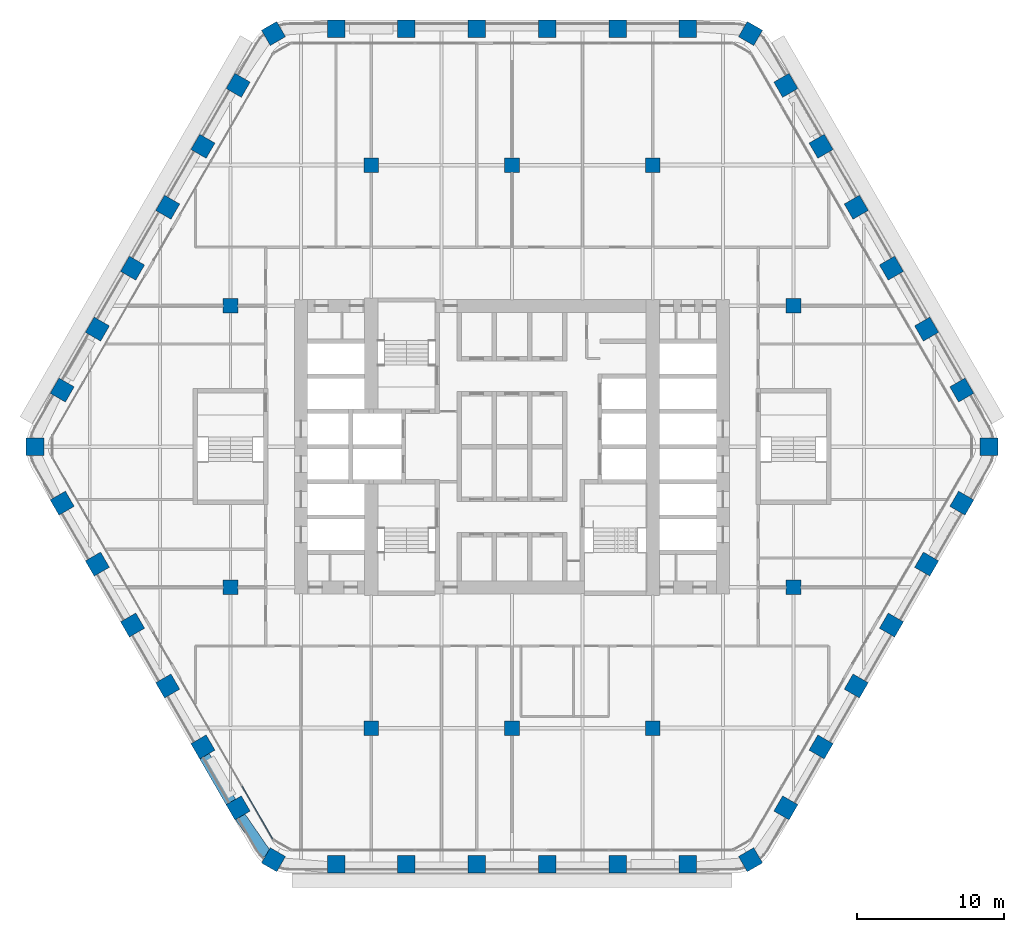
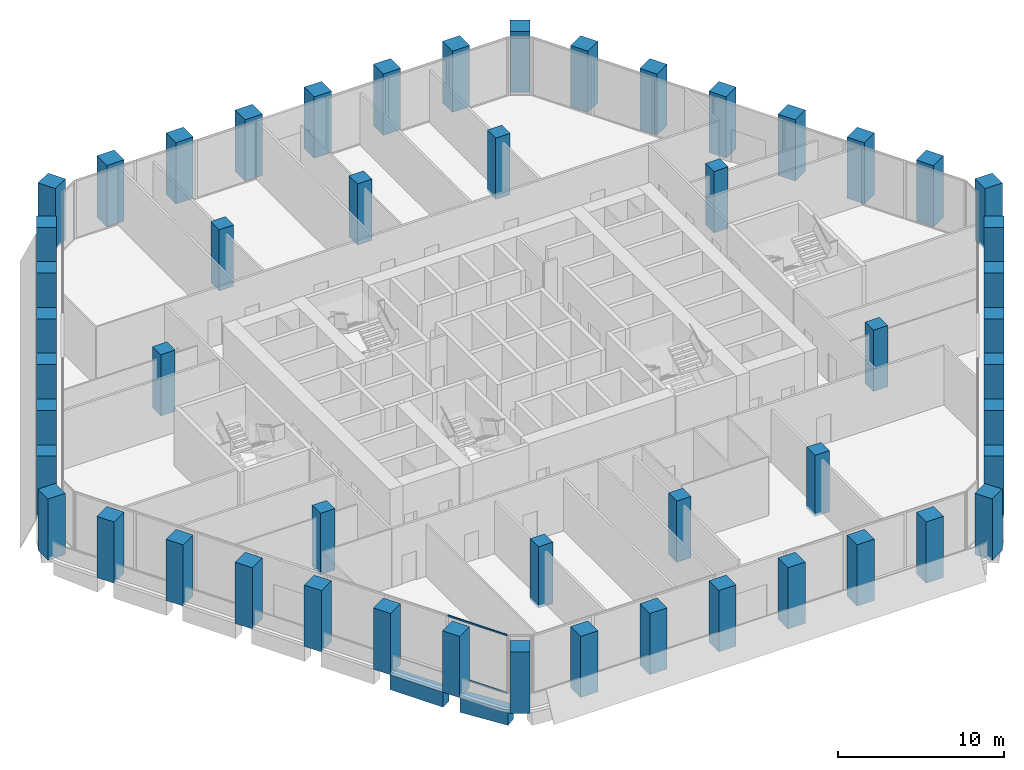
# One storey, part 1 of 23: 52 columns, 2 beams, 2 members, 1 element without a shape of its own.
"""IFC4 building model written with IfcOpenShell, lengths in metres."""

from ifc_helpers import new_model, si_unit, direction, frame, origin, origin_2d, place, context, subcontext, project, spatial, rectangle, extrude, material, material_profile, profile_set, type_object, element, aggregate, save


model = new_model("IFC4")

# Units and contexts
model_context = context("Model", 3, precision=1e-05, world=origin(), true_north=direction((0.0, 1.0)))
body_context = subcontext(model_context, "Body", "Model", "MODEL_VIEW")
ifc_project = project(units=[si_unit("LENGTHUNIT", "METRE"), si_unit("AREAUNIT", "SQUARE_METRE"), si_unit("VOLUMEUNIT", "CUBIC_METRE"), si_unit("PLANEANGLEUNIT", "RADIAN"), si_unit("MASSUNIT", "GRAM", prefix="KILO")], contexts=[model_context])

# Site, building, storey
site_placement = place(None, origin())
site = spatial("IfcSite", under=ifc_project, at=site_placement, CompositionType="ELEMENT")
building_placement = place(site_placement, origin())
building = spatial("IfcBuilding", under=site, at=building_placement, Name="Kolab Exchange Tower", CompositionType="ELEMENT")
storey_placement = place(building_placement, frame((0.0, 0.0, 95.89990234375)))
storey = spatial("IfcBuildingStorey", under=building, at=storey_placement, Name="L18", CompositionType="ELEMENT", Elevation=95.89990234375)

# Columns
ifc_material_1 = material(Name="Concrete C70/85", Category="concrete")
ifc_material_profile_1 = material_profile(ifc_material_1, rectangle(XDim=1.0, YDim=1.0, at=origin_2d()), Name="RC1000")
ifc_profile_set_1 = profile_set([ifc_material_profile_1], Name="Concrete C70/85")
column_type_1 = type_object("IfcColumnType", Name="INTERIOR COLUMN 1000 SQ C70/85", PredefinedType="COLUMN", material=ifc_profile_set_1)
for number, where, z_axis, x_axis, name in (
    (1, (-19.199951171875, -9.60009765625, -0.199951171875), (0.0, 0.0, 1.0), (1.0, 0.0, 0.0), "col/L18/I-I9"),
    (2, (-19.199951171875, 9.60009765625, -0.199951171875), (0.0, 0.0, 1.0), (1.0, 0.0, 0.0), "col/L18/I-I13"),
    (3, (-9.60009765625, -19.199951171875, -0.199951171875), (0.0, 0.0, 1.0), (1.0, 0.0, 0.0), "col/L18/I-K7"),
    (4, (-9.60009765625, 19.199951171875, -0.199951171875), (0.0, 0.0, 1.0), (1.0, 0.0, 0.0), "col/L18/I-K15"),
    (5, (0.0, -19.199951171875, -0.199951171875), (0.0, 0.0, 1.0), (1.0, 0.0, 0.0), "col/L18/I-M7"),
    (6, (0.0, 19.199951171875, -0.199951171875), (0.0, 0.0, 1.0), (1.0, 0.0, 0.0), "col/L18/I-M15"),
    (7, (9.60009765625, -19.199951171875, -0.199951171875), (0.0, 0.0, 1.0), (1.0, 0.0, 0.0), "col/L18/I-O7"),
    (8, (9.60009765625, 19.199951171875, -0.199951171875), (0.0, 0.0, 1.0), (1.0, 0.0, 0.0), "col/L18/I-O15"),
    (9, (19.199951171875, -9.60009765625, -0.199951171875), (0.0, 0.0, 1.0), (1.0, 0.0, 0.0), "col/L18/I-Q9"),
    (10, (19.199951171875, 9.60009765625, -0.199951171875), (0.0, 0.0, 1.0), (1.0, 0.0, 0.0), "col/L18/I-Q13"),
):
    element("IfcColumn", number, at=place(storey_placement, frame(where, z_axis=z_axis, x_axis=x_axis)), inside=storey, type_object=column_type_1, Name=name, PredefinedType="COLUMN", context=body_context, shape_type="SweptSolid", body=[
        extrude(rectangle(XDim=1.0, YDim=1.0, at=origin_2d()), origin(), (0.0, 0.0, 1.0), 4.5),
    ])
ifc_material_profile_2 = material_profile(ifc_material_1, rectangle(XDim=1.199951171875, YDim=1.199951171875, at=origin_2d()), Name="RC1200")
ifc_profile_set_2 = profile_set([ifc_material_profile_2], Name="Concrete C70/85")
column_type_2 = type_object("IfcColumnType", Name="PERIMETER COLUMN 1200 SQ C70/85", PredefinedType="COLUMN", material=ifc_profile_set_2)
for number, where, z_axis, x_axis, name in (
    (11, (-16.26806640625, 28.177001953125, -0.199951171875), (0.0, 0.0, 1.0), (0.866025403784, 0.5, 0.0), "col/L18/F1-01"),
    (12, (-12.0, 28.49853515625, -0.199951171875), (0.0, 0.0, 1.0), (1.0, 0.0, 0.0), "col/L18/F1-02"),
    (13, (-7.199951171875, 28.49853515625, -0.199951171875), (0.0, 0.0, 1.0), (1.0, 0.0, 0.0), "col/L18/F1-03"),
    (14, (-2.39990234375, 28.49853515625, -0.199951171875), (0.0, 0.0, 1.0), (1.0, 0.0, 0.0), "col/L18/F1-04"),
    (15, (2.39990234375, 28.49853515625, -0.199951171875), (0.0, 0.0, 1.0), (1.0, 0.0, 0.0), "col/L18/F1-05"),
    (16, (7.199951171875, 28.49853515625, -0.199951171875), (0.0, 0.0, 1.0), (1.0, 0.0, 0.0), "col/L18/F1-06"),
    (17, (12.0, 28.49853515625, -0.199951171875), (0.0, 0.0, 1.0), (1.0, 0.0, 0.0), "col/L18/F1-07"),
    (18, (16.26806640625, 28.177001953125, -0.199951171875), (0.0, 0.0, 1.0), (0.5, 0.866025403784, 0.0), "col/L18/F2-01"),
    (19, (18.680419921875, 24.6416015625, -0.199951171875), (0.0, 0.0, 1.0), (0.866025403784, 0.5, 0.0), "col/L18/F2-02"),
    (20, (21.080322265625, 20.484619140625, -0.199951171875), (0.0, 0.0, 1.0), (0.866025403784, 0.5, 0.0), "col/L18/F2-03"),
    (21, (23.48046875, 16.32763671875, -0.199951171875), (0.0, 0.0, 1.0), (0.866025403784, 0.5, 0.0), "col/L18/F2-04"),
    (22, (25.88037109375, 12.170654296875, -0.199951171875), (0.0, 0.0, 1.0), (0.866025403784, 0.5, 0.0), "col/L18/F2-05"),
    (23, (28.2802734375, 8.013916015625, -0.199951171875), (0.0, 0.0, 1.0), (0.866025403784, 0.5, 0.0), "col/L18/F2-06"),
    (24, (30.680419921875, 3.85693359375, -0.199951171875), (0.0, 0.0, 1.0), (0.866025403784, 0.5, 0.0), "col/L18/F2-07"),
    (25, (32.535888671875, 0.0, -0.199951171875), (0.0, 0.0, 1.0), (1.0, 0.0, 0.0), "col/L18/F3-01"),
    (26, (30.680419921875, -3.85693359375, -0.199951171875), (0.0, 0.0, 1.0), (0.5, 0.866025403784, 0.0), "col/L18/F3-02"),
    (27, (28.2802734375, -8.013916015625, -0.199951171875), (0.0, 0.0, 1.0), (0.5, 0.866025403784, 0.0), "col/L18/F3-03"),
    (28, (25.88037109375, -12.170654296875, -0.199951171875), (0.0, 0.0, 1.0), (0.5, 0.866025403784, 0.0), "col/L18/F3-04"),
    (29, (23.48046875, -16.32763671875, -0.199951171875), (0.0, 0.0, 1.0), (0.5, 0.866025403784, 0.0), "col/L18/F3-05"),
    (30, (21.080322265625, -20.484619140625, -0.199951171875), (0.0, 0.0, 1.0), (0.5, 0.866025403784, 0.0), "col/L18/F3-06"),
    (31, (18.680419921875, -24.6416015625, -0.199951171875), (0.0, 0.0, 1.0), (0.5, 0.866025403784, 0.0), "col/L18/F3-07"),
    (32, (16.26806640625, -28.177001953125, -0.199951171875), (0.0, 0.0, 1.0), (0.866025403784, 0.5, 0.0), "col/L18/F4-01"),
    (33, (12.0, -28.49853515625, -0.199951171875), (0.0, 0.0, 1.0), (1.0, 0.0, 0.0), "col/L18/F4-02"),
    (34, (7.199951171875, -28.49853515625, -0.199951171875), (0.0, 0.0, 1.0), (1.0, 0.0, 0.0), "col/L18/F4-03"),
    (35, (2.39990234375, -28.49853515625, -0.199951171875), (0.0, 0.0, 1.0), (1.0, 0.0, 0.0), "col/L18/F4-04"),
    (36, (-2.39990234375, -28.49853515625, -0.199951171875), (0.0, 0.0, 1.0), (1.0, 0.0, 0.0), "col/L18/F4-05"),
    (37, (-7.199951171875, -28.49853515625, -0.199951171875), (0.0, 0.0, 1.0), (1.0, 0.0, 0.0), "col/L18/F4-06"),
    (38, (-12.0, -28.49853515625, -0.199951171875), (0.0, 0.0, 1.0), (1.0, 0.0, 0.0), "col/L18/F4-07"),
    (39, (-16.26806640625, -28.177001953125, -0.199951171875), (0.0, 0.0, 1.0), (0.5, 0.866025403784, 0.0), "col/L18/F5-01"),
    (40, (-18.680419921875, -24.6416015625, -0.199951171875), (0.0, 0.0, 1.0), (0.866025403784, 0.5, 0.0), "col/L18/F5-02"),
    (41, (-21.080322265625, -20.484619140625, -0.199951171875), (0.0, 0.0, 1.0), (0.866025403784, 0.5, 0.0), "col/L18/F5-03"),
    (42, (-23.48046875, -16.32763671875, -0.199951171875), (0.0, 0.0, 1.0), (0.866025403784, 0.5, 0.0), "col/L18/F5-04"),
    (43, (-25.88037109375, -12.170654296875, -0.199951171875), (0.0, 0.0, 1.0), (0.866025403784, 0.5, 0.0), "col/L18/F5-05"),
    (44, (-28.2802734375, -8.013916015625, -0.199951171875), (0.0, 0.0, 1.0), (0.866025403784, 0.5, 0.0), "col/L18/F5-06"),
    (45, (-30.680419921875, -3.85693359375, -0.199951171875), (0.0, 0.0, 1.0), (0.866025403784, 0.5, 0.0), "col/L18/F5-07"),
    (46, (-32.535888671875, 0.0, -0.199951171875), (0.0, 0.0, 1.0), (1.0, 0.0, 0.0), "col/L18/F6-01"),
    (47, (-30.680419921875, 3.85693359375, -0.199951171875), (0.0, 0.0, 1.0), (0.5, 0.866025403784, 0.0), "col/L18/F6-02"),
    (48, (-28.2802734375, 8.013916015625, -0.199951171875), (0.0, 0.0, 1.0), (0.5, 0.866025403784, 0.0), "col/L18/F6-03"),
    (49, (-25.88037109375, 12.170654296875, -0.199951171875), (0.0, 0.0, 1.0), (0.5, 0.866025403784, 0.0), "col/L18/F6-04"),
    (50, (-23.48046875, 16.32763671875, -0.199951171875), (0.0, 0.0, 1.0), (0.5, 0.866025403784, 0.0), "col/L18/F6-05"),
    (51, (-21.080322265625, 20.484619140625, -0.199951171875), (0.0, 0.0, 1.0), (0.5, 0.866025403784, 0.0), "col/L18/F6-06"),
    (52, (-18.680419921875, 24.6416015625, -0.199951171875), (0.0, 0.0, 1.0), (0.5, 0.866025403784, 0.0), "col/L18/F6-07"),
):
    element("IfcColumn", number, at=place(storey_placement, frame(where, z_axis=z_axis, x_axis=x_axis)), inside=storey, type_object=column_type_2, Name=name, PredefinedType="COLUMN", context=body_context, shape_type="SweptSolid", body=[
        extrude(rectangle(XDim=1.199951171875, YDim=1.199951171875, at=origin_2d()), origin(), (0.0, 0.0, 1.0), 4.5),
    ])

# Beams
ifc_material_profile_3 = material_profile(ifc_material_1, rectangle(XDim=0.75, YDim=1.10009765625, at=origin_2d()), Name="RC750X1100")
ifc_profile_set_3 = profile_set([ifc_material_profile_3], Name="Concrete C70/85")
beam_type = type_object("IfcBeamType", Name="SPANDREL BEAM 750X1100 C70/85", PredefinedType="BEAM", material=ifc_profile_set_3)
beam_1_placement = place(storey_placement, frame((-16.73486328125, -27.85791015625, -0.75), z_axis=(-0.567661826262, 0.823261836237, 0.0), x_axis=(-0.823261836237, -0.567661826262, 0.0)))
element("IfcBeam", 53, at=beam_1_placement, inside=storey, type_object=beam_type, Name="beam/L18/sp/F5-01", PredefinedType="BEAM", context=body_context, shape_type="SweptSolid", body=[
    extrude(rectangle(XDim=0.75, YDim=1.10009765625, at=origin_2d()), origin(), (0.0, 0.0, 1.0), 3.20849609375),
])
beam_2_placement = place(storey_placement, frame((-19.1552734375, -24.26904296875, -0.75), z_axis=(-0.500013413428, 0.866017659399, 0.0), x_axis=(-0.866017659399, -0.500013413428, 0.0)))
element("IfcBeam", 54, at=beam_2_placement, inside=storey, type_object=beam_type, Name="beam/L18/sp/F5-02", PredefinedType="BEAM", context=body_context, shape_type="SweptSolid", body=[
    extrude(rectangle(XDim=0.75, YDim=1.10009765625, at=origin_2d()), origin(), (0.0, 0.0, 1.0), 3.68017578125),
])

# Curtain wall, members
ifc_material_2 = material(Name="Aluminium EN AW-6063 T6", Category="aluminium")
curtain_wall_type = type_object("IfcCurtainWallType", Name="UNITISED LOWER MID ZONE CURTAIN WALL", PredefinedType="NOTDEFINED", material=ifc_material_2)
curtain_wall_placement = place(storey_placement, origin())
curtain_wall = element("IfcCurtainWall", 55, at=curtain_wall_placement, inside=storey, type_object=curtain_wall_type, Name="cw/L18/F5-1", PredefinedType="NOTDEFINED")
ifc_material_profile_4 = material_profile(ifc_material_2, rectangle(XDim=0.06005859375, YDim=0.1201171875, at=origin_2d()), Name="RECT 60X120")
ifc_profile_set_4 = profile_set([ifc_material_profile_4], Name="Aluminium EN AW-6063 T6")
member_type = type_object("IfcMemberType", Name="UNITISED LOWER MID ZONE TRANSOM 60 X 120", PredefinedType="USERDEFINED", material=ifc_profile_set_4)
member_1_placement = place(storey_placement, frame((-16.32763671875, -26.756591796875, 0.030029296875), z_axis=(-0.500001996123, 0.866024251319, 0.0), x_axis=(-0.866024251319, -0.500001996123, 0.0)))
member_1 = element("IfcMember", 56, at=member_1_placement, type_object=member_type, Name="CW2 transom 1.1", ObjectType="TRANSOM", PredefinedType="USERDEFINED", context=body_context, shape_type="SweptSolid", body=[
    extrude(rectangle(XDim=0.06005859375, YDim=0.1201171875, at=origin_2d()), origin(), (0.0, 0.0, 1.0), 4.1328125),
])
member_2_placement = place(storey_placement, frame((-16.32763671875, -26.756591796875, 4.27001953125), z_axis=(-0.500001996123, 0.866024251319, 0.0), x_axis=(-0.866024251319, -0.500001996123, 0.0)))
member_2 = element("IfcMember", 57, at=member_2_placement, type_object=member_type, Name="CW2 transom 1.2", ObjectType="TRANSOM", PredefinedType="USERDEFINED", context=body_context, shape_type="SweptSolid", body=[
    extrude(rectangle(XDim=0.06005859375, YDim=0.1201171875, at=origin_2d()), origin(), (0.0, 0.0, 1.0), 4.1328125),
])
aggregate(curtain_wall, [member_1, member_2])

save(model, "model.ifc")
